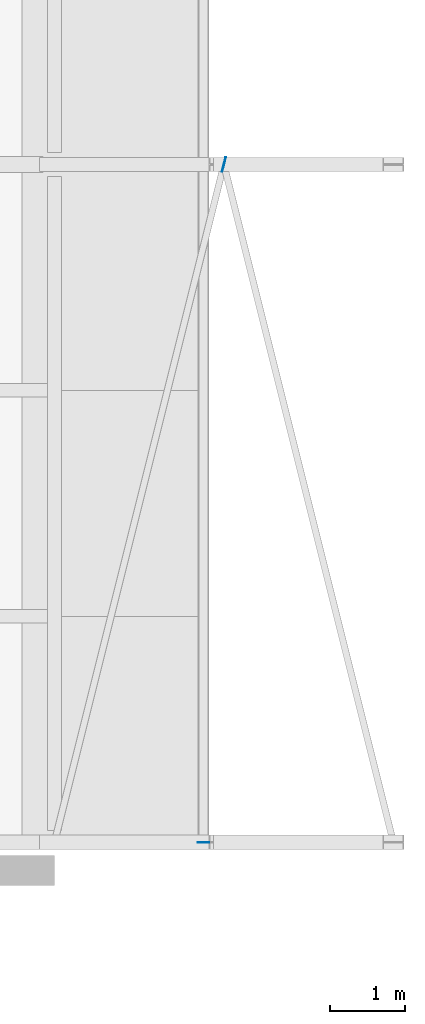
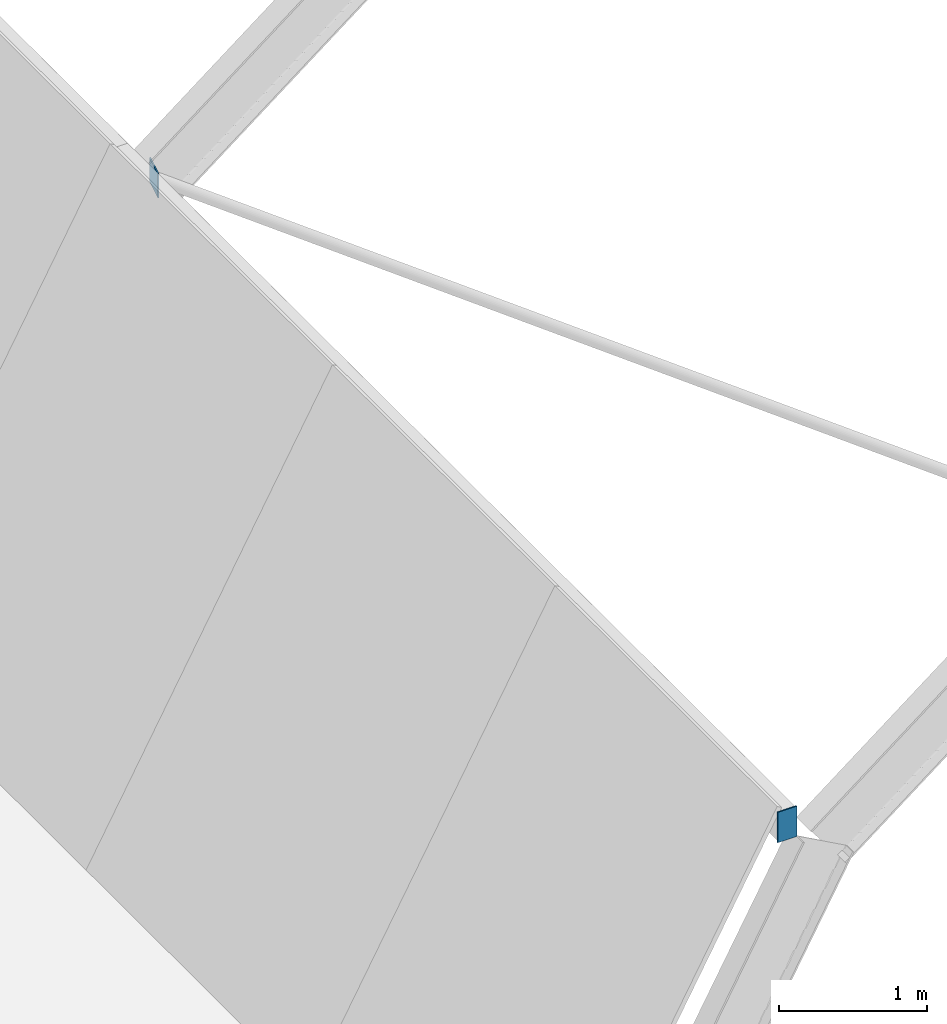
# One storey, part 51 of 62: 2 discrete accessories.
"""IFC4 building model written with IfcOpenShell, lengths in metres."""

from ifc_helpers import new_model, si_unit, direction, frame, origin, origin_2d, place, context, subcontext, project, spatial, rectangle, extrude, material, type_object, element, save


model = new_model("IFC4")

# Units and contexts
model_context = context("Model", 3, precision=1e-05, world=origin(), true_north=direction((0.0, 1.0)))
body_context = subcontext(model_context, "Body", "Model", "MODEL_VIEW")
ifc_project = project(units=[si_unit("LENGTHUNIT", "METRE"), si_unit("AREAUNIT", "SQUARE_METRE"), si_unit("VOLUMEUNIT", "CUBIC_METRE"), si_unit("PLANEANGLEUNIT", "RADIAN"), si_unit("MASSUNIT", "GRAM", prefix="KILO")], contexts=[model_context])

# Site, building, storey
site_placement = place(None, origin())
site = spatial("IfcSite", under=ifc_project, at=site_placement, CompositionType="ELEMENT")
building_placement = place(site_placement, origin())
building = spatial("IfcBuilding", under=site, at=building_placement, Name="Hortulan Conservatory and Botanical Research Centre", CompositionType="ELEMENT")
storey_placement = place(building_placement, frame((0.0, 0.0, 15.0)))
storey = spatial("IfcBuildingStorey", under=building, at=storey_placement, Name="L03", CompositionType="ELEMENT", Elevation=15.0)

# Discrete accessories
ifc_material = material(Name="Steel Grade 300 plate (AS/NZS 3678, 280 MPa minimum yield)", Category="steel")
discrete_accessory_type_1 = type_object("IfcDiscreteAccessoryType", Name="End Plate 200x10", PredefinedType="BRACKET", material=ifc_material)
discrete_accessory_1_placement = place(storey_placement, frame((92.25, 45.0, 2.9912109375), z_axis=(0.0, 0.0, 1.0), x_axis=(0.242531502591, 0.970143530747, 0.0)))
element("IfcDiscreteAccessory", 1, at=discrete_accessory_1_placement, inside=storey, type_object=discrete_accessory_type_1, Name="Brace end plate", PredefinedType="BRACKET", context=body_context, shape_type="SweptSolid", body=[
    extrude(rectangle(XDim=0.199951171875, YDim=0.010009765625, at=origin_2d()), origin(), (0.0, 0.0, 1.0), 0.199951171875),
])
discrete_accessory_type_2 = type_object("IfcDiscreteAccessoryType", Name="End Plate 250x10", PredefinedType="BRACKET", material=ifc_material)
discrete_accessory_2_placement = place(storey_placement, frame((91.9794921875, 35.9951171875, 3.197021484375), z_axis=(0.0, 0.0, 1.0), x_axis=(1.0, 0.0, 0.0)))
element("IfcDiscreteAccessory", 2, at=discrete_accessory_2_placement, inside=storey, type_object=discrete_accessory_type_2, Name="Vault purlin 1 end plate S", PredefinedType="BRACKET", context=body_context, shape_type="SweptSolid", body=[
    extrude(rectangle(XDim=0.14990234375, YDim=0.010009765625, at=origin_2d()), origin(), (0.0, 0.0, 1.0), 0.25),
])

save(model, "model.ifc")
